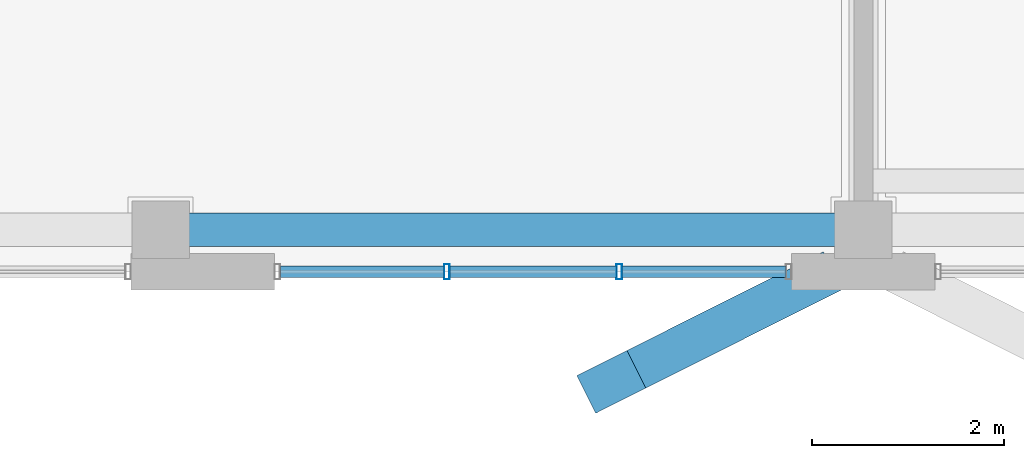
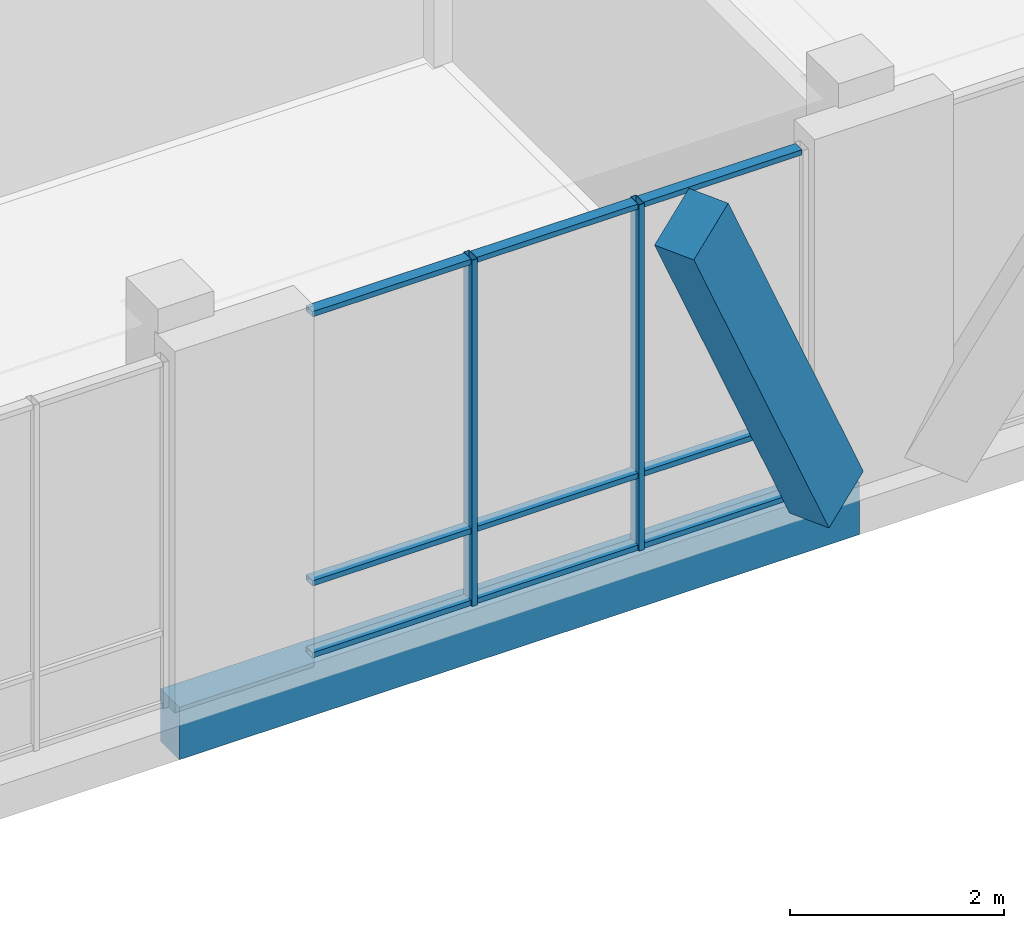
# One storey, part 36 of 233: 12 members, 1 beam, 1 element without a shape of its own.
"""IFC4 building model written with IfcOpenShell, lengths in metres."""

from ifc_helpers import new_model, si_unit, direction, frame, origin, origin_2d, place, context, subcontext, project, spatial, rectangle, hollow_rectangle, extrude, material, material_profile, profile_set, type_object, element, aggregate, save


model = new_model("IFC4")

# Units and contexts
model_context = context("Model", 3, precision=1e-05, world=origin(), true_north=direction((0.0, 1.0)))
body_context = subcontext(model_context, "Body", "Model", "MODEL_VIEW")
ifc_project = project(units=[si_unit("LENGTHUNIT", "METRE"), si_unit("AREAUNIT", "SQUARE_METRE"), si_unit("VOLUMEUNIT", "CUBIC_METRE"), si_unit("PLANEANGLEUNIT", "RADIAN"), si_unit("MASSUNIT", "GRAM", prefix="KILO")], contexts=[model_context])

# Site, building, storey
site_placement = place(None, origin())
site = spatial("IfcSite", under=ifc_project, at=site_placement, CompositionType="ELEMENT")
building_placement = place(site_placement, origin())
building = spatial("IfcBuilding", under=site, at=building_placement, Name="Zavelmont Quarter", CompositionType="ELEMENT")
storey_placement = place(building_placement, origin())
storey = spatial("IfcBuildingStorey", under=building, at=storey_placement, Name="L00", CompositionType="ELEMENT", Elevation=0.0)

# Beam
ifc_material_1 = material(Name="Concrete C35/45", Category="concrete")
ifc_material_profile_1 = material_profile(ifc_material_1, rectangle(XDim=0.35009765625, YDim=0.60009765625, at=origin_2d()), Name="RC350X600")
ifc_profile_set_1 = profile_set([ifc_material_profile_1], Name="Concrete C35/45")
beam_type = type_object("IfcBeamType", Name="BM01", PredefinedType="SPANDREL", material=ifc_profile_set_1)
beam_placement = place(storey_placement, frame((40.9599609375, 0.43994140625, -0.6201171875), z_axis=(1.0, 0.0, 0.0), x_axis=(0.0, 1.0, 0.0)))
element("IfcBeam", 1, at=beam_placement, inside=storey, type_object=beam_type, Name="L00 beam BM01 7/A to 8/A", PredefinedType="SPANDREL", context=body_context, shape_type="SweptSolid", body=[
    extrude(rectangle(XDim=0.35009765625, YDim=0.60009765625, at=origin_2d()), origin(), (0.0, 0.0, 1.0), 7.340087890625),
])

# Curtain wall, members
ifc_material_2 = material(Name="Thermally broken aluminium and double low-E safety glazing", Category="aluminium")
curtain_wall_type = type_object("IfcCurtainWallType", Name="CW-540X395", PredefinedType="NOTDEFINED", material=ifc_material_2)
curtain_wall_placement = place(storey_placement, origin())
curtain_wall = element("IfcCurtainWall", 2, at=curtain_wall_placement, inside=storey, type_object=curtain_wall_type, Name="L00 unitised curtain wall CW-540X395", PredefinedType="NOTDEFINED")
ifc_material_3 = material(Name="Powder-coated aluminium EN AW-6063-T6", Category="aluminium")
ifc_material_profile_2 = material_profile(ifc_material_3, hollow_rectangle(XDim=0.06005859375, YDim=0.159912109375, WallThickness=0.00390625, at=origin_2d()), Name="CWM60X160")
ifc_profile_set_2 = profile_set([ifc_material_profile_2], Name="Powder-coated aluminium EN AW-6063-T6")
member_type_1 = type_object("IfcMemberType", Name="CWM01", PredefinedType="MULLION", material=ifc_profile_set_2)
member_1_placement = place(storey_placement, frame((43.949951171875, 0.0, 0.0), z_axis=(0.0, 0.0, 1.0), x_axis=(1.0, 0.0, 0.0)))
member_1 = element("IfcMember", 3, at=member_1_placement, type_object=member_type_1, Name="CW-540X395 mullion 2", PredefinedType="MULLION", context=body_context, shape_type="SweptSolid", body=[
    extrude(hollow_rectangle(XDim=0.06005859375, YDim=0.159912109375, WallThickness=0.00390625, at=origin_2d()), origin(), (0.0, 0.0, 1.0), 3.949951171875),
])
member_2_placement = place(storey_placement, frame((45.75, 0.0, 0.0), z_axis=(0.0, 0.0, 1.0), x_axis=(1.0, 0.0, 0.0)))
member_2 = element("IfcMember", 4, at=member_2_placement, type_object=member_type_1, Name="CW-540X395 mullion 3", PredefinedType="MULLION", context=body_context, shape_type="SweptSolid", body=[
    extrude(hollow_rectangle(XDim=0.06005859375, YDim=0.159912109375, WallThickness=0.00390625, at=origin_2d()), origin(), (0.0, 0.0, 1.0), 3.949951171875),
])
ifc_material_profile_3 = material_profile(ifc_material_3, hollow_rectangle(XDim=0.1201171875, YDim=0.06005859375, WallThickness=0.00390625, at=origin_2d()), Name="CWT60X120")
ifc_profile_set_3 = profile_set([ifc_material_profile_3], Name="Powder-coated aluminium EN AW-6063-T6")
member_type_2 = type_object("IfcMemberType", Name="CWT01", PredefinedType="NOTDEFINED", material=ifc_profile_set_3)
member_3_placement = place(storey_placement, frame((42.2099609375, 0.0, 0.030029296875), z_axis=(1.0, 0.0, 0.0), x_axis=(0.0, 1.0, 0.0)))
member_3 = element("IfcMember", 5, at=member_3_placement, type_object=member_type_2, Name="CW-540X395 transom 1.1", ObjectType="TRANSOM", PredefinedType="USERDEFINED", context=body_context, shape_type="SweptSolid", body=[
    extrude(hollow_rectangle(XDim=0.1201171875, YDim=0.06005859375, WallThickness=0.00390625, at=origin_2d()), origin(), (0.0, 0.0, 1.0), 1.7099609375),
])
member_4_placement = place(storey_placement, frame((42.2099609375, 0.0, 0.85009765625), z_axis=(1.0, 0.0, 0.0), x_axis=(0.0, 1.0, 0.0)))
member_4 = element("IfcMember", 6, at=member_4_placement, type_object=member_type_2, Name="CW-540X395 transom 1.2", ObjectType="TRANSOM", PredefinedType="USERDEFINED", context=body_context, shape_type="SweptSolid", body=[
    extrude(hollow_rectangle(XDim=0.1201171875, YDim=0.06005859375, WallThickness=0.00390625, at=origin_2d()), origin(), (0.0, 0.0, 1.0), 1.7099609375),
])
member_5_placement = place(storey_placement, frame((42.2099609375, 0.0, 3.919921875), z_axis=(1.0, 0.0, 0.0), x_axis=(0.0, 1.0, 0.0)))
member_5 = element("IfcMember", 7, at=member_5_placement, type_object=member_type_2, Name="CW-540X395 transom 1.3", ObjectType="TRANSOM", PredefinedType="USERDEFINED", context=body_context, shape_type="SweptSolid", body=[
    extrude(hollow_rectangle(XDim=0.1201171875, YDim=0.06005859375, WallThickness=0.00390625, at=origin_2d()), origin(), (0.0, 0.0, 1.0), 1.7099609375),
])
member_6_placement = place(storey_placement, frame((43.97998046875, 0.0, 0.030029296875), z_axis=(1.0, 0.0, 0.0), x_axis=(0.0, 1.0, 0.0)))
member_6 = element("IfcMember", 8, at=member_6_placement, type_object=member_type_2, Name="CW-540X395 transom 2.1", ObjectType="TRANSOM", PredefinedType="USERDEFINED", context=body_context, shape_type="SweptSolid", body=[
    extrude(hollow_rectangle(XDim=0.1201171875, YDim=0.06005859375, WallThickness=0.00390625, at=origin_2d()), origin(), (0.0, 0.0, 1.0), 1.739990234375),
])
member_7_placement = place(storey_placement, frame((43.97998046875, 0.0, 0.85009765625), z_axis=(1.0, 0.0, 0.0), x_axis=(0.0, 1.0, 0.0)))
member_7 = element("IfcMember", 9, at=member_7_placement, type_object=member_type_2, Name="CW-540X395 transom 2.2", ObjectType="TRANSOM", PredefinedType="USERDEFINED", context=body_context, shape_type="SweptSolid", body=[
    extrude(hollow_rectangle(XDim=0.1201171875, YDim=0.06005859375, WallThickness=0.00390625, at=origin_2d()), origin(), (0.0, 0.0, 1.0), 1.739990234375),
])
member_8_placement = place(storey_placement, frame((43.97998046875, 0.0, 3.919921875), z_axis=(1.0, 0.0, 0.0), x_axis=(0.0, 1.0, 0.0)))
member_8 = element("IfcMember", 10, at=member_8_placement, type_object=member_type_2, Name="CW-540X395 transom 2.3", ObjectType="TRANSOM", PredefinedType="USERDEFINED", context=body_context, shape_type="SweptSolid", body=[
    extrude(hollow_rectangle(XDim=0.1201171875, YDim=0.06005859375, WallThickness=0.00390625, at=origin_2d()), origin(), (0.0, 0.0, 1.0), 1.739990234375),
])
member_9_placement = place(storey_placement, frame((45.780029296875, 0.0, 0.030029296875), z_axis=(1.0, 0.0, 0.0), x_axis=(0.0, 1.0, 0.0)))
member_9 = element("IfcMember", 11, at=member_9_placement, type_object=member_type_2, Name="CW-540X395 transom 3.1", ObjectType="TRANSOM", PredefinedType="USERDEFINED", context=body_context, shape_type="SweptSolid", body=[
    extrude(hollow_rectangle(XDim=0.1201171875, YDim=0.06005859375, WallThickness=0.00390625, at=origin_2d()), origin(), (0.0, 0.0, 1.0), 1.7099609375),
])
member_10_placement = place(storey_placement, frame((45.780029296875, 0.0, 0.85009765625), z_axis=(1.0, 0.0, 0.0), x_axis=(0.0, 1.0, 0.0)))
member_10 = element("IfcMember", 12, at=member_10_placement, type_object=member_type_2, Name="CW-540X395 transom 3.2", ObjectType="TRANSOM", PredefinedType="USERDEFINED", context=body_context, shape_type="SweptSolid", body=[
    extrude(hollow_rectangle(XDim=0.1201171875, YDim=0.06005859375, WallThickness=0.00390625, at=origin_2d()), origin(), (0.0, 0.0, 1.0), 1.7099609375),
])
member_11_placement = place(storey_placement, frame((45.780029296875, 0.0, 3.919921875), z_axis=(1.0, 0.0, 0.0), x_axis=(0.0, 1.0, 0.0)))
member_11 = element("IfcMember", 13, at=member_11_placement, type_object=member_type_2, Name="CW-540X395 transom 3.3", ObjectType="TRANSOM", PredefinedType="USERDEFINED", context=body_context, shape_type="SweptSolid", body=[
    extrude(hollow_rectangle(XDim=0.1201171875, YDim=0.06005859375, WallThickness=0.00390625, at=origin_2d()), origin(), (0.0, 0.0, 1.0), 1.7099609375),
])
aggregate(curtain_wall, [member_1, member_2, member_3, member_4, member_5, member_6, member_7, member_8, member_9, member_10, member_11])

# Member
ifc_material_4 = material(Name="White architectural precast concrete C40/50", Category="concrete")
ifc_material_profile_4 = material_profile(ifc_material_4, rectangle(XDim=0.43994140625, YDim=0.659912109375, at=origin_2d()), Name="PCR320X480")
ifc_profile_set_4 = profile_set([ifc_material_profile_4], Name="White architectural precast concrete C40/50")
member_type_3 = type_object("IfcMemberType", Name="VR01M", PredefinedType="CHORD", material=ifc_profile_set_4)
member_12_placement = place(storey_placement, frame((47.719970703125, -0.1201171875, 0.0), z_axis=(-0.413550443654, -0.20748849427, 0.886523860536), x_axis=(0.448446451272, -0.893809700295, 0.0)))
element("IfcMember", 14, at=member_12_placement, inside=storey, type_object=member_type_3, Name="L00 member VR01M 8/A to 8/A", PredefinedType="CHORD", context=body_context, shape_type="SweptSolid", body=[
    extrude(rectangle(XDim=0.43994140625, YDim=0.659912109375, at=origin_2d()), origin(), (0.0, 0.0, 1.0), 4.963134765625),
])

save(model, "model.ifc")
